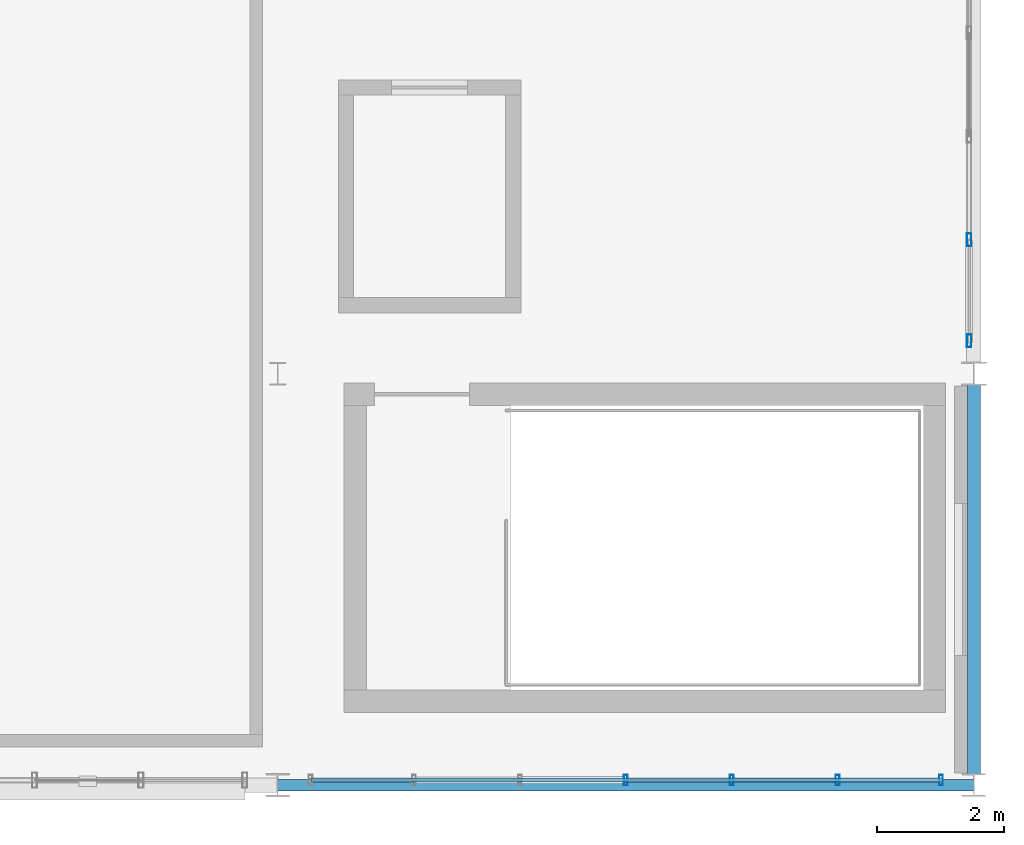
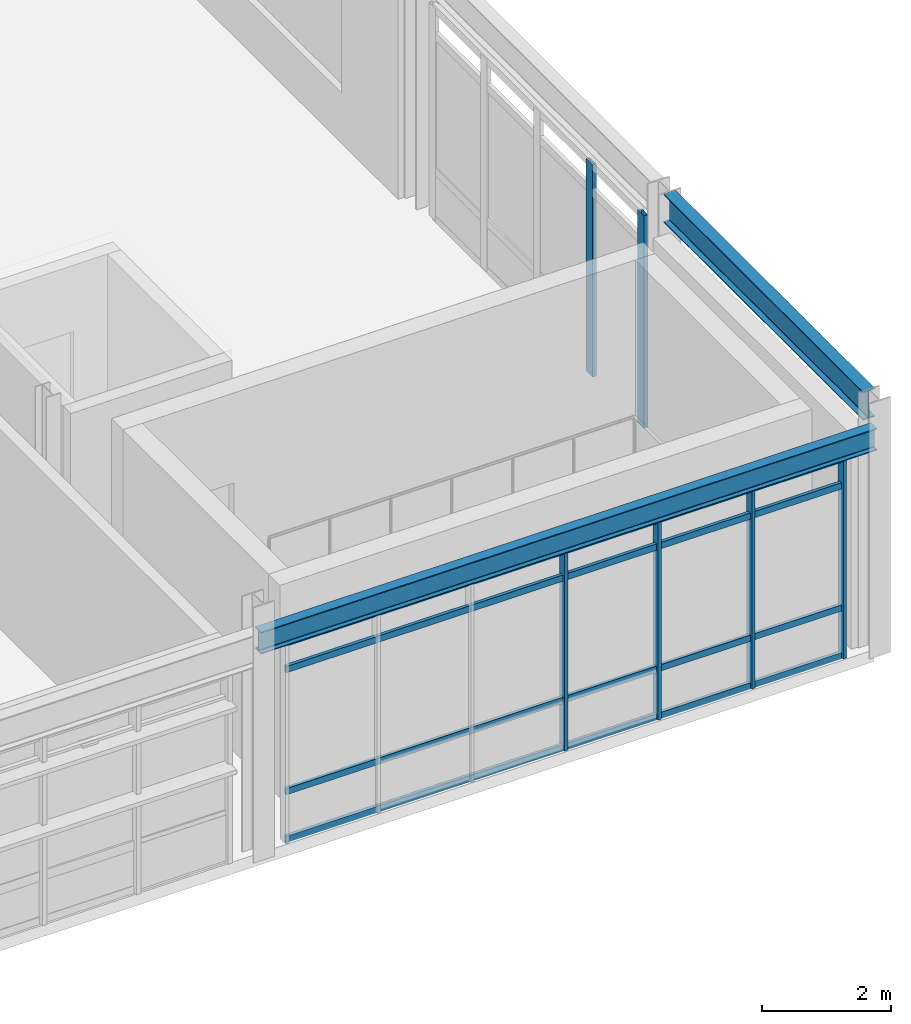
# One storey, part 22 of 56: 10 members, 2 beams, 2 elements without a shape of their own.
"""IFC4 building model written with IfcOpenShell, lengths in metres."""

from ifc_helpers import new_model, si_unit, direction, frame, origin, origin_2d, place, context, subcontext, project, spatial, hollow_rectangle, i_section, extrude, material, material_profile, profile_set, type_object, element, aggregate, save


model = new_model("IFC4")

# Units and contexts
model_context = context("Model", 3, precision=1e-05, world=origin(), true_north=direction((0.0, 1.0)))
body_context = subcontext(model_context, "Body", "Model", "MODEL_VIEW")
ifc_project = project(units=[si_unit("LENGTHUNIT", "METRE"), si_unit("AREAUNIT", "SQUARE_METRE"), si_unit("VOLUMEUNIT", "CUBIC_METRE"), si_unit("PLANEANGLEUNIT", "RADIAN"), si_unit("MASSUNIT", "GRAM", prefix="KILO"), si_unit("THERMODYNAMICTEMPERATUREUNIT", "KELVIN"), si_unit("POWERUNIT", "WATT")], contexts=[model_context])

# Site, building, storey
site_placement = place(None, origin())
site = spatial("IfcSite", under=ifc_project, at=site_placement, CompositionType="ELEMENT")
building_placement = place(site_placement, origin())
building = spatial("IfcBuilding", under=site, at=building_placement, Name="Tepalcoro Natatorium and Aquatics Centre", CompositionType="ELEMENT")
storey_placement = place(building_placement, frame((0.0, 0.0, 14.800048828125)))
storey = spatial("IfcBuildingStorey", under=building, at=storey_placement, Name="L03", CompositionType="ELEMENT", Elevation=14.800048828125)

# Curtain wall, members
ifc_material_1 = material(Name="Bronze-Anodised Extruded Aluminium Alloy EN AW-6063 T6", Category="aluminium")
curtain_wall_type_1 = type_object("IfcCurtainWallType", Name="CW_V5_LOWER", PredefinedType="USERDEFINED", material=ifc_material_1)
curtain_wall_1_placement = place(storey_placement, origin())
curtain_wall_1 = element("IfcCurtainWall", 1, at=curtain_wall_1_placement, inside=storey, type_object=curtain_wall_type_1, Name="V2 L03 S Unitised Curtain Wall Bay 4", ObjectType="UNITISED STOREFRONT", PredefinedType="USERDEFINED")
ifc_material_profile_1 = material_profile(ifc_material_1, hollow_rectangle(XDim=0.06005859375, YDim=0.159912109375, WallThickness=0.00390625, at=origin_2d()), Name="AL60X160X4")
ifc_profile_set_1 = profile_set([ifc_material_profile_1], Name="Bronze-Anodised Extruded Aluminium Alloy EN AW-6063 T6")
member_type_1 = type_object("IfcMemberType", Name="CW_MUL_60x160", PredefinedType="MULLION", material=ifc_profile_set_1)
member_1_placement = place(storey_placement, frame((170.5, 6.580078125, 0.02001953125), z_axis=(0.0, 0.0, 1.0), x_axis=(1.0, 0.0, 0.0)))
member_1 = element("IfcMember", 2, at=member_1_placement, type_object=member_type_1, Name="CW_V5_LOWER Curtain Wall Mullion", PredefinedType="MULLION", context=body_context, shape_type="SweptSolid", body=[
    extrude(hollow_rectangle(XDim=0.06005859375, YDim=0.159912109375, WallThickness=0.00390625, at=origin_2d()), origin(), (0.0, 0.0, 1.0), 3.766845703125),
])
member_2_placement = place(storey_placement, frame((172.17333984375, 6.580078125, 0.02001953125), z_axis=(0.0, 0.0, 1.0), x_axis=(1.0, 0.0, 0.0)))
member_2 = element("IfcMember", 3, at=member_2_placement, type_object=member_type_1, Name="CW_V5_LOWER Curtain Wall Mullion", PredefinedType="MULLION", context=body_context, shape_type="SweptSolid", body=[
    extrude(hollow_rectangle(XDim=0.06005859375, YDim=0.159912109375, WallThickness=0.00390625, at=origin_2d()), origin(), (0.0, 0.0, 1.0), 3.766845703125),
])
member_3_placement = place(storey_placement, frame((173.8466796875, 6.580078125, 0.02001953125), z_axis=(0.0, 0.0, 1.0), x_axis=(1.0, 0.0, 0.0)))
member_3 = element("IfcMember", 4, at=member_3_placement, type_object=member_type_1, Name="CW_V5_LOWER Curtain Wall Mullion", PredefinedType="MULLION", context=body_context, shape_type="SweptSolid", body=[
    extrude(hollow_rectangle(XDim=0.06005859375, YDim=0.159912109375, WallThickness=0.00390625, at=origin_2d()), origin(), (0.0, 0.0, 1.0), 3.766845703125),
])
member_4_placement = place(storey_placement, frame((175.47998046875, 6.580078125, 0.02001953125), z_axis=(0.0, 0.0, 1.0), x_axis=(1.0, 0.0, 0.0)))
member_4 = element("IfcMember", 5, at=member_4_placement, type_object=member_type_1, Name="CW_V5_LOWER Curtain Wall Mullion", PredefinedType="MULLION", context=body_context, shape_type="SweptSolid", body=[
    extrude(hollow_rectangle(XDim=0.06005859375, YDim=0.159912109375, WallThickness=0.00390625, at=origin_2d()), origin(), (0.0, 0.0, 1.0), 3.766845703125),
])

curtain_wall_type_2 = type_object("IfcCurtainWallType", Name="CW_LEAN_T2_NS", PredefinedType="USERDEFINED", material=ifc_material_1)
curtain_wall_2_placement = place(storey_placement, origin())
curtain_wall_2 = element("IfcCurtainWall", 6, at=curtain_wall_2_placement, inside=storey, type_object=curtain_wall_type_2, Name="V2 L03 E Unitised Curtain Wall Bay 2", ObjectType="FACETED SOLAR GLAZING", PredefinedType="USERDEFINED")
ifc_material_profile_2 = material_profile(ifc_material_1, hollow_rectangle(XDim=0.070068359375, YDim=0.199951171875, WallThickness=0.0048828125, at=origin_2d()), Name="AL70X200X5")
ifc_profile_set_2 = profile_set([ifc_material_profile_2], Name="Bronze-Anodised Extruded Aluminium Alloy EN AW-6063 T6")
member_type_2 = type_object("IfcMemberType", Name="CW_MUL_70x200", PredefinedType="MULLION", material=ifc_profile_set_2)
member_5_placement = place(storey_placement, frame((175.923828125, 13.52001953125, 0.02001953125), z_axis=(0.0, 0.0, 1.0), x_axis=(1.0, 0.0, 0.0)))
member_5 = element("IfcMember", 7, at=member_5_placement, type_object=member_type_2, Name="CW_LEAN_T2_NS Curtain Wall Mullion", PredefinedType="MULLION", context=body_context, shape_type="SweptSolid", body=[
    extrude(hollow_rectangle(XDim=0.070068359375, YDim=0.199951171875, WallThickness=0.0048828125, at=origin_2d()), origin(), (0.0, 0.0, 1.0), 4.010009765625),
])
member_6_placement = place(storey_placement, frame((175.923828125, 15.114990234375, 0.02001953125), z_axis=(0.0, 0.0, 1.0), x_axis=(1.0, 0.0, 0.0)))
member_6 = element("IfcMember", 8, at=member_6_placement, type_object=member_type_2, Name="CW_LEAN_T2_NS Curtain Wall Mullion", PredefinedType="MULLION", context=body_context, shape_type="SweptSolid", body=[
    extrude(hollow_rectangle(XDim=0.070068359375, YDim=0.199951171875, WallThickness=0.0048828125, at=origin_2d()), origin(), (0.0, 0.0, 1.0), 4.010009765625),
])
aggregate(curtain_wall_2, [member_5, member_6])

# Member
ifc_material_profile_3 = material_profile(ifc_material_1, hollow_rectangle(XDim=0.06005859375, YDim=0.1201171875, WallThickness=0.00390625, at=origin_2d()), Name="AL60X120X4")
ifc_profile_set_3 = profile_set([ifc_material_profile_3], Name="Bronze-Anodised Extruded Aluminium Alloy EN AW-6063 T6")
member_type_3 = type_object("IfcMemberType", Name="CW_TRN_60x120", PredefinedType="USERDEFINED", material=ifc_profile_set_3)
member_7_placement = place(storey_placement, frame((165.530029296875, 6.580078125, 0.050048828125), z_axis=(1.0, 0.0, 0.0), x_axis=(0.0, 1.0, 0.0)))
member_7 = element("IfcMember", 9, at=member_7_placement, type_object=member_type_3, Name="CW_V5_LOWER Curtain Wall Transom", ObjectType="TRANSOM", PredefinedType="USERDEFINED", context=body_context, shape_type="SweptSolid", body=[
    extrude(hollow_rectangle(XDim=0.06005859375, YDim=0.1201171875, WallThickness=0.00390625, at=origin_2d()), origin(), (0.0, 0.0, 1.0), 9.93994140625),
])

member_8_placement = place(storey_placement, frame((165.530029296875, 6.580078125, 0.949951171875), z_axis=(1.0, 0.0, 0.0), x_axis=(0.0, 1.0, 0.0)))
member_8 = element("IfcMember", 10, at=member_8_placement, type_object=member_type_3, Name="CW_V5_LOWER Curtain Wall Transom", ObjectType="TRANSOM", PredefinedType="USERDEFINED", context=body_context, shape_type="SweptSolid", body=[
    extrude(hollow_rectangle(XDim=0.06005859375, YDim=0.1201171875, WallThickness=0.00390625, at=origin_2d()), origin(), (0.0, 0.0, 1.0), 9.93994140625),
])

member_9_placement = place(storey_placement, frame((165.530029296875, 6.580078125, 3.2568359375), z_axis=(1.0, 0.0, 0.0), x_axis=(0.0, 1.0, 0.0)))
member_9 = element("IfcMember", 11, at=member_9_placement, type_object=member_type_3, Name="CW_V5_LOWER Curtain Wall Transom", ObjectType="TRANSOM", PredefinedType="USERDEFINED", context=body_context, shape_type="SweptSolid", body=[
    extrude(hollow_rectangle(XDim=0.06005859375, YDim=0.1201171875, WallThickness=0.00390625, at=origin_2d()), origin(), (0.0, 0.0, 1.0), 9.93994140625),
])

member_10_placement = place(storey_placement, frame((165.530029296875, 6.580078125, 3.7568359375), z_axis=(1.0, 0.0, 0.0), x_axis=(0.0, 1.0, 0.0)))
member_10 = element("IfcMember", 12, at=member_10_placement, type_object=member_type_3, Name="CW_V5_LOWER Curtain Wall Transom", ObjectType="TRANSOM", PredefinedType="USERDEFINED", context=body_context, shape_type="SweptSolid", body=[
    extrude(hollow_rectangle(XDim=0.06005859375, YDim=0.1201171875, WallThickness=0.00390625, at=origin_2d()), origin(), (0.0, 0.0, 1.0), 9.93994140625),
])

aggregate(curtain_wall_1, [member_1, member_2, member_3, member_4, member_7, member_8, member_9, member_10])

# Beams
ifc_material_2 = material(Name="Steel ASTM A992 Grade 50 (Fy 345 MPa)", Category="steel")
ifc_material_profile_4 = material_profile(ifc_material_2, i_section(OverallWidth=0.179931640625, OverallDepth=0.4130859375, WebThickness=0.010009765625, FlangeThickness=0.01611328125, FilletRadius=0.013916015625, at=origin_2d()), Name="W16X50")
ifc_profile_set_4 = profile_set([ifc_material_profile_4], Name="Steel ASTM A992 Grade 50 (Fy 345 MPa)")
beam_type_1 = type_object("IfcBeamType", Name="SP_HSS300x200x12", PredefinedType="SPANDREL", material=ifc_profile_set_4)
beam_1_placement = place(storey_placement, frame((165.0, 6.5, 4.028564453125), z_axis=(1.0, 0.0, 0.0), x_axis=(0.0, 1.0, 0.0)))
element("IfcBeam", 13, at=beam_1_placement, inside=storey, type_object=beam_type_1, Name="V2 L03 Grid Girder X", PredefinedType="SPANDREL", context=body_context, shape_type="SweptSolid", body=[
    extrude(i_section(OverallWidth=0.179931640625, OverallDepth=0.4130859375, WebThickness=0.010009765625, FlangeThickness=0.01611328125, FilletRadius=0.013916015625, at=origin_2d()), origin(), (0.0, 0.0, 1.0), 11.0),
])
ifc_material_profile_5 = material_profile(ifc_material_2, i_section(OverallWidth=0.2099609375, OverallDepth=0.535888671875, WebThickness=0.010986328125, FlangeThickness=0.01708984375, FilletRadius=0.013916015625, at=origin_2d()), Name="W21X68")
ifc_profile_set_5 = profile_set([ifc_material_profile_5], Name="Steel ASTM A992 Grade 50 (Fy 345 MPa)")
beam_type_2 = type_object("IfcBeamType", Name="SP_W21x68", PredefinedType="SPANDREL", material=ifc_profile_set_5)
beam_2_placement = place(storey_placement, frame((176.0, 6.6630859375, 4.536865234375), z_axis=(0.0, 1.0, 0.0), x_axis=(-1.0, 0.0, 0.0)))
element("IfcBeam", 14, at=beam_2_placement, inside=storey, type_object=beam_type_2, Name="V2 L03 Grid Girder Y", PredefinedType="SPANDREL", context=body_context, shape_type="SweptSolid", body=[
    extrude(i_section(OverallWidth=0.2099609375, OverallDepth=0.535888671875, WebThickness=0.010986328125, FlangeThickness=0.01708984375, FilletRadius=0.013916015625, at=origin_2d()), origin(), (0.0, 0.0, 1.0), 6.169921875),
])

save(model, "model.ifc")
